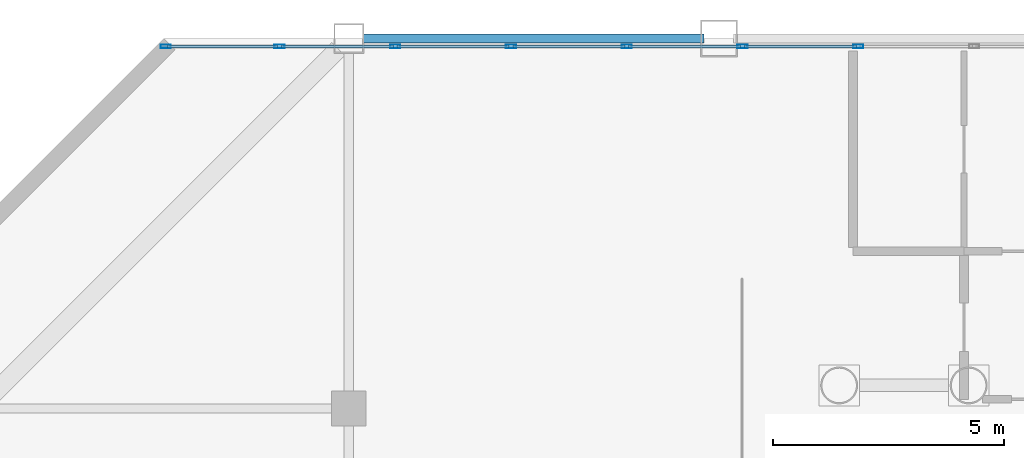
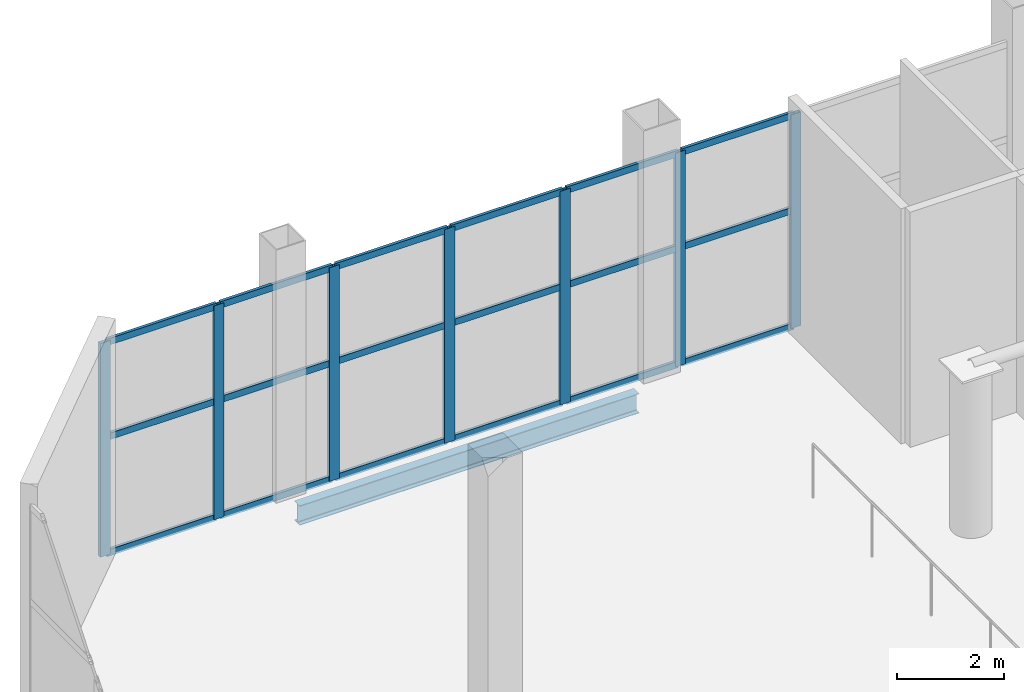
# One storey, part 11 of 18: 25 members, 1 beam, 1 element without a shape of its own.
"""IFC4 building model written with IfcOpenShell, lengths in metres."""

from ifc_helpers import new_model, si_unit, direction, frame, origin, origin_2d, place, context, subcontext, project, spatial, hollow_rectangle, i_section, extrude, material, layer, layer_set, material_profile, profile_set, type_object, element, aggregate, save


model = new_model("IFC4")

# Units and contexts
model_context = context("Model", 3, precision=1e-05, world=origin(), true_north=direction((0.0, 1.0)))
body_context = subcontext(model_context, "Body", "Model", "MODEL_VIEW")
ifc_project = project(units=[si_unit("LENGTHUNIT", "METRE"), si_unit("AREAUNIT", "SQUARE_METRE"), si_unit("VOLUMEUNIT", "CUBIC_METRE"), si_unit("PLANEANGLEUNIT", "RADIAN"), si_unit("MASSUNIT", "GRAM", prefix="KILO")], contexts=[model_context])

# Site, building, storey
site_placement = place(None, origin())
site = spatial("IfcSite", under=ifc_project, at=site_placement, CompositionType="ELEMENT")
building_placement = place(site_placement, origin())
building = spatial("IfcBuilding", under=site, at=building_placement, Name="Qianrong Seaharbour Tower", CompositionType="ELEMENT")
storey_placement = place(building_placement, frame((0.0, 0.0, 367.199951171875)))
storey = spatial("IfcBuildingStorey", under=building, at=storey_placement, Name="L89", CompositionType="ELEMENT", Elevation=367.199951171875)

# Beam
ifc_material_1 = material(Name="Structural steel SN400B", Category="steel")
ifc_material_profile_1 = material_profile(ifc_material_1, i_section(OverallWidth=0.199951171875, OverallDepth=0.449951171875, WebThickness=0.009033203125, FlangeThickness=0.013916015625, FilletRadius=0.01806640625, at=origin_2d()), Name="H450x200x9x14")
ifc_profile_set_1 = profile_set([ifc_material_profile_1], Name="Structural steel SN400B")
beam_type = type_object("IfcBeamType", Name="BM-SP-450", PredefinedType="SPANDREL", material=ifc_profile_set_1)
beam_placement = place(storey_placement, frame((24.820068359375, 52.0, -0.64501953125), z_axis=(1.0, 0.0, 0.0), x_axis=(0.0, 1.0, 0.0)))
element("IfcBeam", 1, at=beam_placement, inside=storey, type_object=beam_type, Name="L89 Spandrel Girder GH G4-G5", PredefinedType="SPANDREL", context=body_context, shape_type="SweptSolid", body=[
    extrude(i_section(OverallWidth=0.199951171875, OverallDepth=0.449951171875, WebThickness=0.009033203125, FlangeThickness=0.013916015625, FilletRadius=0.01806640625, at=origin_2d()), origin(), (0.0, 0.0, 1.0), 7.35986328125),
])

# Curtain wall, members
ifc_material_2 = material(Name="Anodised aluminium 6063-T6 and laminated low-e glass", Category="aluminium")
ifc_layer = layer(ifc_material_2, 0.22998046875)
ifc_layer_set = layer_set([ifc_layer], Name="Anodised aluminium 6063-T6 and laminated low-e glass")
curtain_wall_type = type_object("IfcCurtainWallType", Name="CW-SYS-5", PredefinedType="NOTDEFINED", material=ifc_layer_set)
curtain_wall_placement = place(storey_placement, origin())
curtain_wall = element("IfcCurtainWall", 2, at=curtain_wall_placement, inside=storey, type_object=curtain_wall_type, Name="L89 Venturi Wind-Turbine Shroud Curtain Wall NORTH_WING", PredefinedType="NOTDEFINED")
ifc_material_3 = material(Name="Extruded aluminium 6063-T6", Category="aluminium")
ifc_material_profile_2 = material_profile(ifc_material_3, hollow_rectangle(XDim=0.080078125, YDim=0.219970703125, WallThickness=0.0048828125, at=origin_2d()), Name="ALU-MUL-220x80x5")
ifc_profile_set_2 = profile_set([ifc_material_profile_2], Name="Extruded aluminium 6063-T6")
member_type_1 = type_object("IfcMemberType", Name="CW-MUL-220", PredefinedType="MULLION", material=ifc_profile_set_2)
member_1_placement = place(storey_placement, frame((20.5400390625, 51.830078125, 0.0), z_axis=(0.0, 0.0, 1.0), x_axis=(0.0, 1.0, 0.0)))
member_1 = element("IfcMember", 3, at=member_1_placement, type_object=member_type_1, Name="CW-5 mullion 1", PredefinedType="MULLION", context=body_context, shape_type="SweptSolid", body=[
    extrude(hollow_rectangle(XDim=0.080078125, YDim=0.219970703125, WallThickness=0.0048828125, at=origin_2d()), origin(), (0.0, 0.0, 1.0), 4.900146484375),
])
member_2_placement = place(storey_placement, frame((23.00244140625, 51.830078125, 0.0), z_axis=(0.0, 0.0, 1.0), x_axis=(0.0, 1.0, 0.0)))
member_2 = element("IfcMember", 4, at=member_2_placement, type_object=member_type_1, Name="CW-5 mullion 2", PredefinedType="MULLION", context=body_context, shape_type="SweptSolid", body=[
    extrude(hollow_rectangle(XDim=0.080078125, YDim=0.219970703125, WallThickness=0.0048828125, at=origin_2d()), origin(), (0.0, 0.0, 1.0), 4.900146484375),
])
member_3_placement = place(storey_placement, frame((25.5048828125, 51.830078125, 0.0), z_axis=(0.0, 0.0, 1.0), x_axis=(0.0, 1.0, 0.0)))
member_3 = element("IfcMember", 5, at=member_3_placement, type_object=member_type_1, Name="CW-5 mullion 3", PredefinedType="MULLION", context=body_context, shape_type="SweptSolid", body=[
    extrude(hollow_rectangle(XDim=0.080078125, YDim=0.219970703125, WallThickness=0.0048828125, at=origin_2d()), origin(), (0.0, 0.0, 1.0), 4.900146484375),
])
member_4_placement = place(storey_placement, frame((28.007568359375, 51.830078125, 0.0), z_axis=(0.0, 0.0, 1.0), x_axis=(0.0, 1.0, 0.0)))
member_4 = element("IfcMember", 6, at=member_4_placement, type_object=member_type_1, Name="CW-5 mullion 4", PredefinedType="MULLION", context=body_context, shape_type="SweptSolid", body=[
    extrude(hollow_rectangle(XDim=0.080078125, YDim=0.219970703125, WallThickness=0.0048828125, at=origin_2d()), origin(), (0.0, 0.0, 1.0), 4.900146484375),
])
member_5_placement = place(storey_placement, frame((30.510009765625, 51.830078125, 0.0), z_axis=(0.0, 0.0, 1.0), x_axis=(0.0, 1.0, 0.0)))
member_5 = element("IfcMember", 7, at=member_5_placement, type_object=member_type_1, Name="CW-5 mullion 5", PredefinedType="MULLION", context=body_context, shape_type="SweptSolid", body=[
    extrude(hollow_rectangle(XDim=0.080078125, YDim=0.219970703125, WallThickness=0.0048828125, at=origin_2d()), origin(), (0.0, 0.0, 1.0), 4.900146484375),
])
member_6_placement = place(storey_placement, frame((33.012451171875, 51.830078125, 0.0), z_axis=(0.0, 0.0, 1.0), x_axis=(0.0, 1.0, 0.0)))
member_6 = element("IfcMember", 8, at=member_6_placement, type_object=member_type_1, Name="CW-5 mullion 6", PredefinedType="MULLION", context=body_context, shape_type="SweptSolid", body=[
    extrude(hollow_rectangle(XDim=0.080078125, YDim=0.219970703125, WallThickness=0.0048828125, at=origin_2d()), origin(), (0.0, 0.0, 1.0), 4.900146484375),
])
member_7_placement = place(storey_placement, frame((35.514892578125, 51.830078125, 0.0), z_axis=(0.0, 0.0, 1.0), x_axis=(0.0, 1.0, 0.0)))
member_7 = element("IfcMember", 9, at=member_7_placement, type_object=member_type_1, Name="CW-5 mullion 7", PredefinedType="MULLION", context=body_context, shape_type="SweptSolid", body=[
    extrude(hollow_rectangle(XDim=0.080078125, YDim=0.219970703125, WallThickness=0.0048828125, at=origin_2d()), origin(), (0.0, 0.0, 1.0), 4.900146484375),
])
ifc_material_profile_3 = material_profile(ifc_material_3, hollow_rectangle(XDim=0.06494140625, YDim=0.14990234375, WallThickness=0.00390625, at=origin_2d()), Name="ALU-TRN-150x65x4")
ifc_profile_set_3 = profile_set([ifc_material_profile_3], Name="Extruded aluminium 6063-T6")
member_type_2 = type_object("IfcMemberType", Name="CW-TRN-150", PredefinedType="USERDEFINED", material=ifc_profile_set_3)
member_8_placement = place(storey_placement, frame((20.580078125, 51.830078125, 0.032470703125), z_axis=(1.0, 0.0, 0.0), x_axis=(0.0, 1.0, 0.0)))
member_8 = element("IfcMember", 10, at=member_8_placement, type_object=member_type_2, Name="CW-5 transom 1.1", ObjectType="TRANSOM", PredefinedType="USERDEFINED", context=body_context, shape_type="SweptSolid", body=[
    extrude(hollow_rectangle(XDim=0.06494140625, YDim=0.14990234375, WallThickness=0.00390625, at=origin_2d()), origin(), (0.0, 0.0, 1.0), 2.38232421875),
])
member_9_placement = place(storey_placement, frame((20.580078125, 51.830078125, 2.695068359375), z_axis=(1.0, 0.0, 0.0), x_axis=(0.0, 1.0, 0.0)))
member_9 = element("IfcMember", 11, at=member_9_placement, type_object=member_type_2, Name="CW-5 transom 1.2", ObjectType="TRANSOM", PredefinedType="USERDEFINED", context=body_context, shape_type="SweptSolid", body=[
    extrude(hollow_rectangle(XDim=0.06494140625, YDim=0.14990234375, WallThickness=0.00390625, at=origin_2d()), origin(), (0.0, 0.0, 1.0), 2.38232421875),
])
member_10_placement = place(storey_placement, frame((20.580078125, 51.830078125, 4.867431640625), z_axis=(1.0, 0.0, 0.0), x_axis=(0.0, 1.0, 0.0)))
member_10 = element("IfcMember", 12, at=member_10_placement, type_object=member_type_2, Name="CW-5 transom 1.3", ObjectType="TRANSOM", PredefinedType="USERDEFINED", context=body_context, shape_type="SweptSolid", body=[
    extrude(hollow_rectangle(XDim=0.06494140625, YDim=0.14990234375, WallThickness=0.00390625, at=origin_2d()), origin(), (0.0, 0.0, 1.0), 2.38232421875),
])
member_11_placement = place(storey_placement, frame((23.04248046875, 51.830078125, 0.032470703125), z_axis=(1.0, 0.0, 0.0), x_axis=(0.0, 1.0, 0.0)))
member_11 = element("IfcMember", 13, at=member_11_placement, type_object=member_type_2, Name="CW-5 transom 2.1", ObjectType="TRANSOM", PredefinedType="USERDEFINED", context=body_context, shape_type="SweptSolid", body=[
    extrude(hollow_rectangle(XDim=0.06494140625, YDim=0.14990234375, WallThickness=0.00390625, at=origin_2d()), origin(), (0.0, 0.0, 1.0), 2.422607421875),
])
member_12_placement = place(storey_placement, frame((23.04248046875, 51.830078125, 2.695068359375), z_axis=(1.0, 0.0, 0.0), x_axis=(0.0, 1.0, 0.0)))
member_12 = element("IfcMember", 14, at=member_12_placement, type_object=member_type_2, Name="CW-5 transom 2.2", ObjectType="TRANSOM", PredefinedType="USERDEFINED", context=body_context, shape_type="SweptSolid", body=[
    extrude(hollow_rectangle(XDim=0.06494140625, YDim=0.14990234375, WallThickness=0.00390625, at=origin_2d()), origin(), (0.0, 0.0, 1.0), 2.422607421875),
])
member_13_placement = place(storey_placement, frame((23.04248046875, 51.830078125, 4.867431640625), z_axis=(1.0, 0.0, 0.0), x_axis=(0.0, 1.0, 0.0)))
member_13 = element("IfcMember", 15, at=member_13_placement, type_object=member_type_2, Name="CW-5 transom 2.3", ObjectType="TRANSOM", PredefinedType="USERDEFINED", context=body_context, shape_type="SweptSolid", body=[
    extrude(hollow_rectangle(XDim=0.06494140625, YDim=0.14990234375, WallThickness=0.00390625, at=origin_2d()), origin(), (0.0, 0.0, 1.0), 2.422607421875),
])
member_14_placement = place(storey_placement, frame((25.544921875, 51.830078125, 0.032470703125), z_axis=(1.0, 0.0, 0.0), x_axis=(0.0, 1.0, 0.0)))
member_14 = element("IfcMember", 16, at=member_14_placement, type_object=member_type_2, Name="CW-5 transom 3.1", ObjectType="TRANSOM", PredefinedType="USERDEFINED", context=body_context, shape_type="SweptSolid", body=[
    extrude(hollow_rectangle(XDim=0.06494140625, YDim=0.14990234375, WallThickness=0.00390625, at=origin_2d()), origin(), (0.0, 0.0, 1.0), 2.422607421875),
])
member_15_placement = place(storey_placement, frame((25.544921875, 51.830078125, 2.695068359375), z_axis=(1.0, 0.0, 0.0), x_axis=(0.0, 1.0, 0.0)))
member_15 = element("IfcMember", 17, at=member_15_placement, type_object=member_type_2, Name="CW-5 transom 3.2", ObjectType="TRANSOM", PredefinedType="USERDEFINED", context=body_context, shape_type="SweptSolid", body=[
    extrude(hollow_rectangle(XDim=0.06494140625, YDim=0.14990234375, WallThickness=0.00390625, at=origin_2d()), origin(), (0.0, 0.0, 1.0), 2.422607421875),
])
member_16_placement = place(storey_placement, frame((25.544921875, 51.830078125, 4.867431640625), z_axis=(1.0, 0.0, 0.0), x_axis=(0.0, 1.0, 0.0)))
member_16 = element("IfcMember", 18, at=member_16_placement, type_object=member_type_2, Name="CW-5 transom 3.3", ObjectType="TRANSOM", PredefinedType="USERDEFINED", context=body_context, shape_type="SweptSolid", body=[
    extrude(hollow_rectangle(XDim=0.06494140625, YDim=0.14990234375, WallThickness=0.00390625, at=origin_2d()), origin(), (0.0, 0.0, 1.0), 2.422607421875),
])
member_17_placement = place(storey_placement, frame((28.047607421875, 51.830078125, 0.032470703125), z_axis=(1.0, 0.0, 0.0), x_axis=(0.0, 1.0, 0.0)))
member_17 = element("IfcMember", 19, at=member_17_placement, type_object=member_type_2, Name="CW-5 transom 4.1", ObjectType="TRANSOM", PredefinedType="USERDEFINED", context=body_context, shape_type="SweptSolid", body=[
    extrude(hollow_rectangle(XDim=0.06494140625, YDim=0.14990234375, WallThickness=0.00390625, at=origin_2d()), origin(), (0.0, 0.0, 1.0), 2.42236328125),
])
member_18_placement = place(storey_placement, frame((28.047607421875, 51.830078125, 2.695068359375), z_axis=(1.0, 0.0, 0.0), x_axis=(0.0, 1.0, 0.0)))
member_18 = element("IfcMember", 20, at=member_18_placement, type_object=member_type_2, Name="CW-5 transom 4.2", ObjectType="TRANSOM", PredefinedType="USERDEFINED", context=body_context, shape_type="SweptSolid", body=[
    extrude(hollow_rectangle(XDim=0.06494140625, YDim=0.14990234375, WallThickness=0.00390625, at=origin_2d()), origin(), (0.0, 0.0, 1.0), 2.42236328125),
])
member_19_placement = place(storey_placement, frame((28.047607421875, 51.830078125, 4.867431640625), z_axis=(1.0, 0.0, 0.0), x_axis=(0.0, 1.0, 0.0)))
member_19 = element("IfcMember", 21, at=member_19_placement, type_object=member_type_2, Name="CW-5 transom 4.3", ObjectType="TRANSOM", PredefinedType="USERDEFINED", context=body_context, shape_type="SweptSolid", body=[
    extrude(hollow_rectangle(XDim=0.06494140625, YDim=0.14990234375, WallThickness=0.00390625, at=origin_2d()), origin(), (0.0, 0.0, 1.0), 2.42236328125),
])
member_20_placement = place(storey_placement, frame((30.550048828125, 51.830078125, 0.032470703125), z_axis=(1.0, 0.0, 0.0), x_axis=(0.0, 1.0, 0.0)))
member_20 = element("IfcMember", 22, at=member_20_placement, type_object=member_type_2, Name="CW-5 transom 5.1", ObjectType="TRANSOM", PredefinedType="USERDEFINED", context=body_context, shape_type="SweptSolid", body=[
    extrude(hollow_rectangle(XDim=0.06494140625, YDim=0.14990234375, WallThickness=0.00390625, at=origin_2d()), origin(), (0.0, 0.0, 1.0), 2.42236328125),
])
member_21_placement = place(storey_placement, frame((30.550048828125, 51.830078125, 2.695068359375), z_axis=(1.0, 0.0, 0.0), x_axis=(0.0, 1.0, 0.0)))
member_21 = element("IfcMember", 23, at=member_21_placement, type_object=member_type_2, Name="CW-5 transom 5.2", ObjectType="TRANSOM", PredefinedType="USERDEFINED", context=body_context, shape_type="SweptSolid", body=[
    extrude(hollow_rectangle(XDim=0.06494140625, YDim=0.14990234375, WallThickness=0.00390625, at=origin_2d()), origin(), (0.0, 0.0, 1.0), 2.42236328125),
])
member_22_placement = place(storey_placement, frame((30.550048828125, 51.830078125, 4.867431640625), z_axis=(1.0, 0.0, 0.0), x_axis=(0.0, 1.0, 0.0)))
member_22 = element("IfcMember", 24, at=member_22_placement, type_object=member_type_2, Name="CW-5 transom 5.3", ObjectType="TRANSOM", PredefinedType="USERDEFINED", context=body_context, shape_type="SweptSolid", body=[
    extrude(hollow_rectangle(XDim=0.06494140625, YDim=0.14990234375, WallThickness=0.00390625, at=origin_2d()), origin(), (0.0, 0.0, 1.0), 2.42236328125),
])
member_23_placement = place(storey_placement, frame((33.052490234375, 51.830078125, 0.032470703125), z_axis=(1.0, 0.0, 0.0), x_axis=(0.0, 1.0, 0.0)))
member_23 = element("IfcMember", 25, at=member_23_placement, type_object=member_type_2, Name="CW-5 transom 6.1", ObjectType="TRANSOM", PredefinedType="USERDEFINED", context=body_context, shape_type="SweptSolid", body=[
    extrude(hollow_rectangle(XDim=0.06494140625, YDim=0.14990234375, WallThickness=0.00390625, at=origin_2d()), origin(), (0.0, 0.0, 1.0), 2.422607421875),
])
member_24_placement = place(storey_placement, frame((33.052490234375, 51.830078125, 2.695068359375), z_axis=(1.0, 0.0, 0.0), x_axis=(0.0, 1.0, 0.0)))
member_24 = element("IfcMember", 26, at=member_24_placement, type_object=member_type_2, Name="CW-5 transom 6.2", ObjectType="TRANSOM", PredefinedType="USERDEFINED", context=body_context, shape_type="SweptSolid", body=[
    extrude(hollow_rectangle(XDim=0.06494140625, YDim=0.14990234375, WallThickness=0.00390625, at=origin_2d()), origin(), (0.0, 0.0, 1.0), 2.422607421875),
])
member_25_placement = place(storey_placement, frame((33.052490234375, 51.830078125, 4.867431640625), z_axis=(1.0, 0.0, 0.0), x_axis=(0.0, 1.0, 0.0)))
member_25 = element("IfcMember", 27, at=member_25_placement, type_object=member_type_2, Name="CW-5 transom 6.3", ObjectType="TRANSOM", PredefinedType="USERDEFINED", context=body_context, shape_type="SweptSolid", body=[
    extrude(hollow_rectangle(XDim=0.06494140625, YDim=0.14990234375, WallThickness=0.00390625, at=origin_2d()), origin(), (0.0, 0.0, 1.0), 2.422607421875),
])
aggregate(curtain_wall, [member_1, member_2, member_3, member_4, member_5, member_6, member_7, member_8, member_9, member_10, member_11, member_12, member_13, member_14, member_15, member_16, member_17, member_18, member_19, member_20, member_21, member_22, member_23, member_24, member_25])

save(model, "model.ifc")
